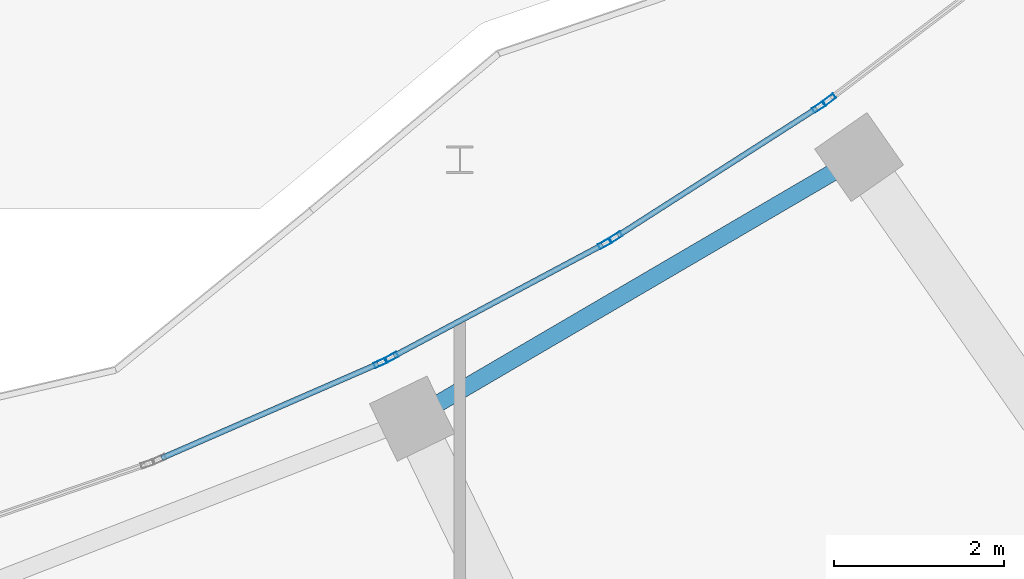
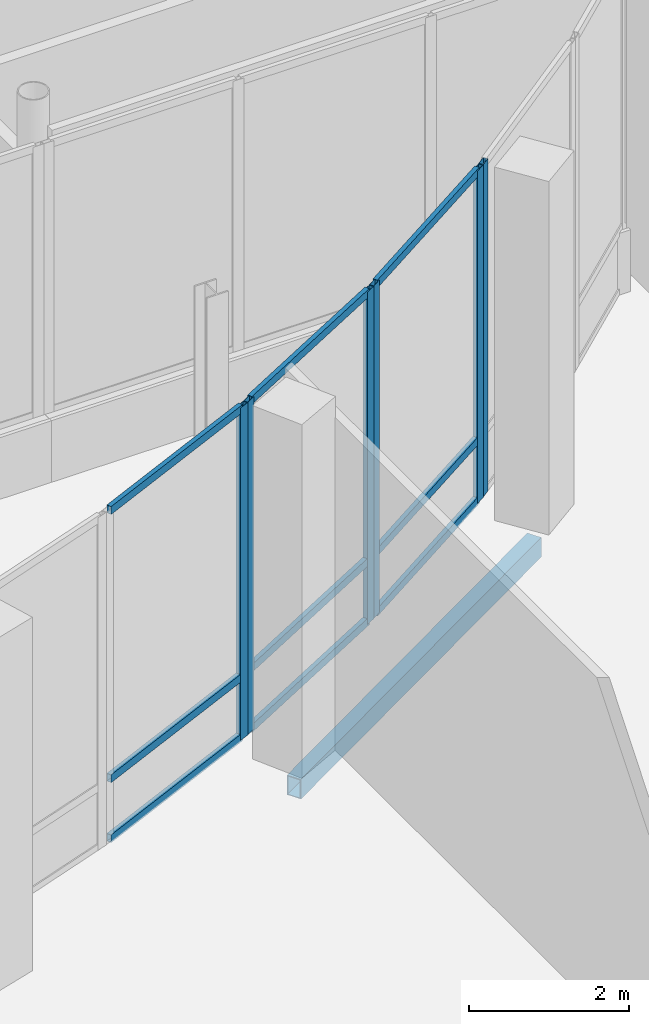
# One storey, part 52 of 158: 15 members, 1 beam, 4 elements without a shape of their own.
"""IFC4 building model written with IfcOpenShell, lengths in metres."""

from ifc_helpers import new_model, si_unit, direction, frame, origin, origin_2d, place, context, subcontext, project, spatial, hollow_rectangle, extrude, material, material_profile, profile_set, type_object, element, aggregate, save


model = new_model("IFC4")

# Units and contexts
model_context = context("Model", 3, precision=1e-05, world=origin(), true_north=direction((0.0, 1.0)))
body_context = subcontext(model_context, "Body", "Model", "MODEL_VIEW")
ifc_project = project(units=[si_unit("LENGTHUNIT", "METRE"), si_unit("AREAUNIT", "SQUARE_METRE"), si_unit("VOLUMEUNIT", "CUBIC_METRE"), si_unit("PLANEANGLEUNIT", "RADIAN"), si_unit("MASSUNIT", "GRAM", prefix="KILO")], contexts=[model_context])

# Site, building, storey
site_placement = place(None, origin())
site = spatial("IfcSite", under=ifc_project, at=site_placement, CompositionType="ELEMENT")
building_placement = place(site_placement, origin())
building = spatial("IfcBuilding", under=site, at=building_placement, Name="Selatvlak General Hospital", CompositionType="ELEMENT")
storey_placement = place(building_placement, origin())
storey = spatial("IfcBuildingStorey", under=building, at=storey_placement, Name="L00", CompositionType="ELEMENT", Elevation=0.0)

# Beam
ifc_material_1 = material(Name="Steel S355", Category="steel")
ifc_material_profile_1 = material_profile(ifc_material_1, hollow_rectangle(XDim=0.199951171875, YDim=0.300048828125, WallThickness=0.011962890625, at=origin_2d()), Name="RHS 300x200x12")
ifc_profile_set_1 = profile_set([ifc_material_profile_1], Name="Steel S355")
beam_type = type_object("IfcBeamType", Name="BM-SP3", PredefinedType="SPANDREL", material=ifc_profile_set_1)
beam_placement = place(storey_placement, frame((72.639892578125, 45.06005859375, -0.5), z_axis=(0.863043931414, 0.505128867172, 0.0), x_axis=(-0.505128867172, 0.863043931414, 0.0)))
element("IfcBeam", 1, at=beam_placement, inside=storey, type_object=beam_type, Name="Beam BMR-L00-0360", PredefinedType="SPANDREL", context=body_context, shape_type="SweptSolid", body=[
    extrude(hollow_rectangle(XDim=0.199951171875, YDim=0.300048828125, WallThickness=0.011962890625, at=origin_2d()), origin(), (0.0, 0.0, 1.0), 6.079833984375),
])

# Curtain wall, member
ifc_material_2 = material(Name="Solar-control Low-E double glazing", Category="glass")
curtain_wall_type_1 = type_object("IfcCurtainWallType", Name="CW-CW-02", PredefinedType="USERDEFINED", material=ifc_material_2)
curtain_wall_1_placement = place(storey_placement, origin())
curtain_wall_1 = element("IfcCurtainWall", 2, at=curtain_wall_1_placement, inside=storey, type_object=curtain_wall_type_1, Name="Glazed facade curtain wall CW-L00-0082", ObjectType="UNITISED CURTAIN WALL", PredefinedType="USERDEFINED")
ifc_material_3 = material(Name="Dark anodised aluminium mullion", Category="aluminium")
ifc_material_profile_2 = material_profile(ifc_material_3, hollow_rectangle(XDim=0.06494140625, YDim=0.159912109375, WallThickness=0.00390625, at=origin_2d()), Name="AL-MUL 65x160x4")
ifc_profile_set_2 = profile_set([ifc_material_profile_2], Name="Dark anodised aluminium mullion")
member_type_1 = type_object("IfcMemberType", Name="CWM-01", PredefinedType="MULLION", material=ifc_profile_set_2)
member_1_placement = place(storey_placement, frame((72.268310546875, 45.715087890625, 0.0), z_axis=(0.0, 0.0, 1.0), x_axis=(-0.399117101371, 0.916899961497, 0.0)))
member_1 = element("IfcMember", 3, at=member_1_placement, type_object=member_type_1, Name="CW-02 mullion 2", PredefinedType="MULLION", context=body_context, shape_type="SweptSolid", body=[
    extrude(hollow_rectangle(XDim=0.06494140625, YDim=0.159912109375, WallThickness=0.00390625, at=origin_2d()), origin(), (0.0, 0.0, 1.0), 5.080078125),
])

# Curtain wall, members
curtain_wall_type_2 = type_object("IfcCurtainWallType", Name="CW-CW-01", PredefinedType="USERDEFINED", material=ifc_material_2)
curtain_wall_2_placement = place(storey_placement, origin())
curtain_wall_2 = element("IfcCurtainWall", 4, at=curtain_wall_2_placement, inside=storey, type_object=curtain_wall_type_2, Name="Glazed facade curtain wall CW-L00-0083", ObjectType="UNITISED CURTAIN WALL", PredefinedType="USERDEFINED")
member_2_placement = place(storey_placement, frame((72.397705078125, 45.7802734375, 0.0), z_axis=(0.0, 0.0, 1.0), x_axis=(-0.470338020096, 0.88248634372, 0.0)))
member_2 = element("IfcMember", 5, at=member_2_placement, type_object=member_type_1, Name="CW-01 mullion 1", PredefinedType="MULLION", context=body_context, shape_type="SweptSolid", body=[
    extrude(hollow_rectangle(XDim=0.06494140625, YDim=0.159912109375, WallThickness=0.00390625, at=origin_2d()), origin(), (0.0, 0.0, 1.0), 5.080078125),
])
member_3_placement = place(storey_placement, frame((74.9033203125, 47.11572265625, 0.0), z_axis=(0.0, 0.0, 1.0), x_axis=(-0.470338020096, 0.88248634372, 0.0)))
member_3 = element("IfcMember", 6, at=member_3_placement, type_object=member_type_1, Name="CW-01 mullion 2", PredefinedType="MULLION", context=body_context, shape_type="SweptSolid", body=[
    extrude(hollow_rectangle(XDim=0.06494140625, YDim=0.159912109375, WallThickness=0.00390625, at=origin_2d()), origin(), (0.0, 0.0, 1.0), 5.080078125),
])

curtain_wall_3_placement = place(storey_placement, origin())
curtain_wall_3 = element("IfcCurtainWall", 7, at=curtain_wall_3_placement, inside=storey, type_object=curtain_wall_type_1, Name="Glazed facade curtain wall CW-L00-0084", ObjectType="UNITISED CURTAIN WALL", PredefinedType="USERDEFINED")
member_4_placement = place(storey_placement, frame((75.02734375, 47.1904296875, 0.0), z_axis=(0.0, 0.0, 1.0), x_axis=(-0.539171082287, 0.842196262178, 0.0)))
member_4 = element("IfcMember", 8, at=member_4_placement, type_object=member_type_1, Name="CW-02 mullion 1", PredefinedType="MULLION", context=body_context, shape_type="SweptSolid", body=[
    extrude(hollow_rectangle(XDim=0.06494140625, YDim=0.159912109375, WallThickness=0.00390625, at=origin_2d()), origin(), (0.0, 0.0, 1.0), 5.080078125),
])
member_5_placement = place(storey_placement, frame((77.41552734375, 48.719482421875, 0.0), z_axis=(0.0, 0.0, 1.0), x_axis=(-0.539171082287, 0.842196262178, 0.0)))
member_5 = element("IfcMember", 9, at=member_5_placement, type_object=member_type_1, Name="CW-02 mullion 2", PredefinedType="MULLION", context=body_context, shape_type="SweptSolid", body=[
    extrude(hollow_rectangle(XDim=0.06494140625, YDim=0.159912109375, WallThickness=0.00390625, at=origin_2d()), origin(), (0.0, 0.0, 1.0), 5.080078125),
])

# Curtain wall, member
curtain_wall_4_placement = place(storey_placement, origin())
curtain_wall_4 = element("IfcCurtainWall", 10, at=curtain_wall_4_placement, inside=storey, type_object=curtain_wall_type_2, Name="Glazed facade curtain wall CW-L00-0085", ObjectType="UNITISED CURTAIN WALL", PredefinedType="USERDEFINED")
member_6_placement = place(storey_placement, frame((77.533935546875, 48.8037109375, 0.0), z_axis=(0.0, 0.0, 1.0), x_axis=(-0.604514782215, 0.796593922952, 0.0)))
member_6 = element("IfcMember", 11, at=member_6_placement, type_object=member_type_1, Name="CW-01 mullion 1", PredefinedType="MULLION", context=body_context, shape_type="SweptSolid", body=[
    extrude(hollow_rectangle(XDim=0.06494140625, YDim=0.159912109375, WallThickness=0.00390625, at=origin_2d()), origin(), (0.0, 0.0, 1.0), 5.080078125),
])
aggregate(curtain_wall_4, [member_6])

# Member
ifc_material_profile_3 = material_profile(ifc_material_3, hollow_rectangle(XDim=0.06494140625, YDim=0.1201171875, WallThickness=0.00390625, at=origin_2d()), Name="AL-TRN 65x120x4")
ifc_profile_set_3 = profile_set([ifc_material_profile_3], Name="Dark anodised aluminium mullion")
member_type_2 = type_object("IfcMemberType", Name="CWT-01", PredefinedType="USERDEFINED", material=ifc_profile_set_3)
member_7_placement = place(storey_placement, frame((69.69970703125, 44.596923828125, 0.032470703125), z_axis=(0.916872279603, 0.399180689533, 0.0), x_axis=(-0.399180689533, 0.916872279603, 0.0)))
member_7 = element("IfcMember", 12, at=member_7_placement, type_object=member_type_2, Name="CW-02 transom 1.1", ObjectType="TRANSOM", PredefinedType="USERDEFINED", context=body_context, shape_type="SweptSolid", body=[
    extrude(hollow_rectangle(XDim=0.06494140625, YDim=0.1201171875, WallThickness=0.00390625, at=origin_2d()), origin(), (0.0, 0.0, 1.0), 2.768798828125),
])

member_8_placement = place(storey_placement, frame((69.69970703125, 44.596923828125, 0.949951171875), z_axis=(0.916872279603, 0.399180689533, 0.0), x_axis=(-0.399180689533, 0.916872279603, 0.0)))
member_8 = element("IfcMember", 13, at=member_8_placement, type_object=member_type_2, Name="CW-02 transom 1.2", ObjectType="TRANSOM", PredefinedType="USERDEFINED", context=body_context, shape_type="SweptSolid", body=[
    extrude(hollow_rectangle(XDim=0.06494140625, YDim=0.1201171875, WallThickness=0.00390625, at=origin_2d()), origin(), (0.0, 0.0, 1.0), 2.768798828125),
])

member_9_placement = place(storey_placement, frame((69.69970703125, 44.596923828125, 5.047607421875), z_axis=(0.916872279603, 0.399180689533, 0.0), x_axis=(-0.399180689533, 0.916872279603, 0.0)))
member_9 = element("IfcMember", 14, at=member_9_placement, type_object=member_type_2, Name="CW-02 transom 1.3", ObjectType="TRANSOM", PredefinedType="USERDEFINED", context=body_context, shape_type="SweptSolid", body=[
    extrude(hollow_rectangle(XDim=0.06494140625, YDim=0.1201171875, WallThickness=0.00390625, at=origin_2d()), origin(), (0.0, 0.0, 1.0), 2.768798828125),
])

aggregate(curtain_wall_1, [member_1, member_7, member_8, member_9])

member_10_placement = place(storey_placement, frame((72.42626953125, 45.795654296875, 0.032470703125), z_axis=(0.882528266183, 0.470259353323, 0.0), x_axis=(-0.470259353323, 0.882528266183, 0.0)))
member_10 = element("IfcMember", 15, at=member_10_placement, type_object=member_type_2, Name="CW-01 transom 1.1", ObjectType="TRANSOM", PredefinedType="USERDEFINED", context=body_context, shape_type="SweptSolid", body=[
    extrude(hollow_rectangle(XDim=0.06494140625, YDim=0.1201171875, WallThickness=0.00390625, at=origin_2d()), origin(), (0.0, 0.0, 1.0), 2.7744140625),
])

member_11_placement = place(storey_placement, frame((72.42626953125, 45.795654296875, 0.949951171875), z_axis=(0.882528266183, 0.470259353323, 0.0), x_axis=(-0.470259353323, 0.882528266183, 0.0)))
member_11 = element("IfcMember", 16, at=member_11_placement, type_object=member_type_2, Name="CW-01 transom 1.2", ObjectType="TRANSOM", PredefinedType="USERDEFINED", context=body_context, shape_type="SweptSolid", body=[
    extrude(hollow_rectangle(XDim=0.06494140625, YDim=0.1201171875, WallThickness=0.00390625, at=origin_2d()), origin(), (0.0, 0.0, 1.0), 2.7744140625),
])

member_12_placement = place(storey_placement, frame((72.42626953125, 45.795654296875, 5.047607421875), z_axis=(0.882528266183, 0.470259353323, 0.0), x_axis=(-0.470259353323, 0.882528266183, 0.0)))
member_12 = element("IfcMember", 17, at=member_12_placement, type_object=member_type_2, Name="CW-01 transom 1.3", ObjectType="TRANSOM", PredefinedType="USERDEFINED", context=body_context, shape_type="SweptSolid", body=[
    extrude(hollow_rectangle(XDim=0.06494140625, YDim=0.1201171875, WallThickness=0.00390625, at=origin_2d()), origin(), (0.0, 0.0, 1.0), 2.7744140625),
])

aggregate(curtain_wall_2, [member_2, member_3, member_10, member_11, member_12])

member_13_placement = place(storey_placement, frame((75.0546875, 47.2080078125, 0.032470703125), z_axis=(0.842196180284, 0.539171210207, 0.0), x_axis=(-0.539171210207, 0.842196180284, 0.0)))
member_13 = element("IfcMember", 18, at=member_13_placement, type_object=member_type_2, Name="CW-02 transom 1.1", ObjectType="TRANSOM", PredefinedType="USERDEFINED", context=body_context, shape_type="SweptSolid", body=[
    extrude(hollow_rectangle(XDim=0.06494140625, YDim=0.1201171875, WallThickness=0.00390625, at=origin_2d()), origin(), (0.0, 0.0, 1.0), 2.770751953125),
])

member_14_placement = place(storey_placement, frame((75.0546875, 47.2080078125, 0.949951171875), z_axis=(0.842196180284, 0.539171210207, 0.0), x_axis=(-0.539171210207, 0.842196180284, 0.0)))
member_14 = element("IfcMember", 19, at=member_14_placement, type_object=member_type_2, Name="CW-02 transom 1.2", ObjectType="TRANSOM", PredefinedType="USERDEFINED", context=body_context, shape_type="SweptSolid", body=[
    extrude(hollow_rectangle(XDim=0.06494140625, YDim=0.1201171875, WallThickness=0.00390625, at=origin_2d()), origin(), (0.0, 0.0, 1.0), 2.770751953125),
])

member_15_placement = place(storey_placement, frame((75.0546875, 47.2080078125, 5.047607421875), z_axis=(0.842196180284, 0.539171210207, 0.0), x_axis=(-0.539171210207, 0.842196180284, 0.0)))
member_15 = element("IfcMember", 20, at=member_15_placement, type_object=member_type_2, Name="CW-02 transom 1.3", ObjectType="TRANSOM", PredefinedType="USERDEFINED", context=body_context, shape_type="SweptSolid", body=[
    extrude(hollow_rectangle(XDim=0.06494140625, YDim=0.1201171875, WallThickness=0.00390625, at=origin_2d()), origin(), (0.0, 0.0, 1.0), 2.770751953125),
])

aggregate(curtain_wall_3, [member_4, member_5, member_13, member_14, member_15])

save(model, "model.ifc")
